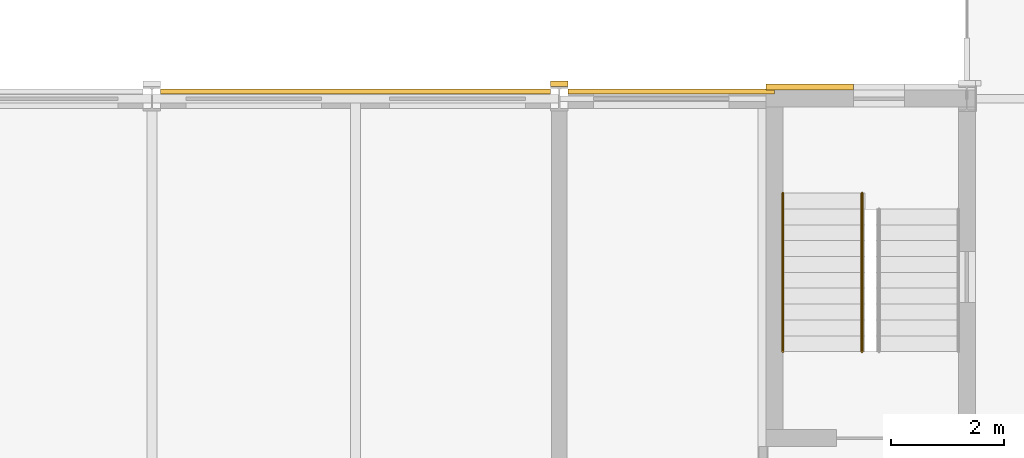
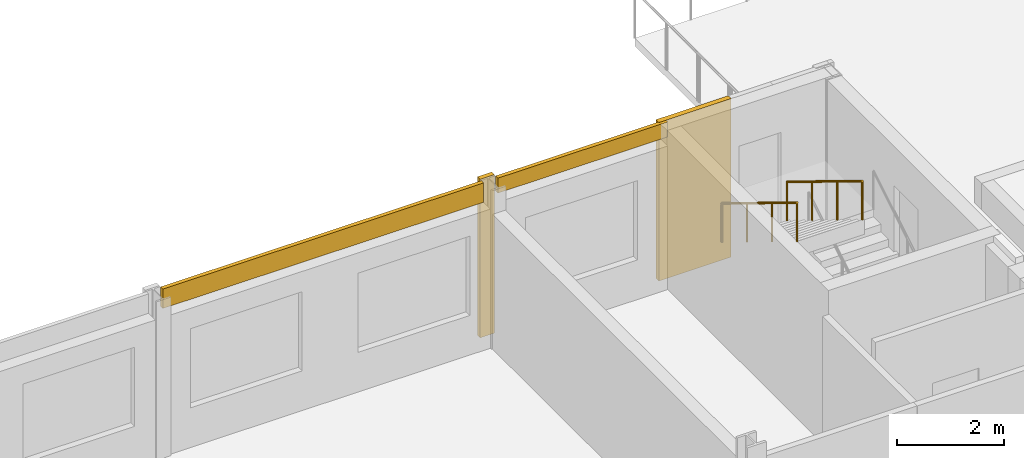
# One storey, part 103 of 110: 4 coverings, 2 railings.
"""IFC4 building model written with IfcOpenShell, lengths in metres."""

from ifc_helpers import new_model, si_unit, direction, frame, origin, origin_2d, place, context, subcontext, project, spatial, rectangle, circle, extrude, material, layer, layer_set, type_object, element, save


model = new_model("IFC4")

# Units and contexts
model_context = context("Model", 3, precision=1e-05, world=origin(), true_north=direction((0.0, 1.0)))
body_context = subcontext(model_context, "Body", "Model", "MODEL_VIEW")
ifc_project = project(units=[si_unit("LENGTHUNIT", "METRE"), si_unit("AREAUNIT", "SQUARE_METRE"), si_unit("VOLUMEUNIT", "CUBIC_METRE"), si_unit("PLANEANGLEUNIT", "RADIAN"), si_unit("MASSUNIT", "GRAM", prefix="KILO")], contexts=[model_context])

# Site, building, storey
site_placement = place(None, origin())
site = spatial("IfcSite", under=ifc_project, at=site_placement, CompositionType="ELEMENT")
building_placement = place(site_placement, origin())
building = spatial("IfcBuilding", under=site, at=building_placement, Name="Kupolbacken Congress Centre", CompositionType="ELEMENT")
storey_placement = place(building_placement, frame((0.0, 0.0, 18.0)))
storey = spatial("IfcBuildingStorey", under=building, at=storey_placement, Name="L05", CompositionType="ELEMENT", Elevation=18.0)

# Coverings
ifc_material_1 = material(Name="Limestone cladding", Category="masonry")
ifc_layer_1 = layer(ifc_material_1, 0.1201171875)
ifc_layer_set_1 = layer_set([ifc_layer_1], Name="Limestone cladding")
covering_type_1 = type_object("IfcCoveringType", Name="CV1 limestone cladding band 120", PredefinedType="CLADDING", material=ifc_layer_set_1)
covering_1_placement = place(storey_placement, frame((131.57666015625, 144.12744140625, 3.259765625), z_axis=(0.0, 0.0, 1.0), x_axis=(-1.0, 0.0, 0.0)))
element("IfcCovering", 1, at=covering_1_placement, inside=storey, type_object=covering_type_1, Name="E/T/N/L05/065/band", PredefinedType="CLADDING", context=body_context, shape_type="SweptSolid", body=[
    extrude(rectangle(XDim=3.646484375, YDim=0.0849609375, at=origin_2d()), origin(), (0.0, 0.0, 1.0), 0.340087890625),
])
covering_2_placement = place(storey_placement, frame((126.0, 144.12744140625, 3.159912109375), z_axis=(0.0, 0.0, 1.0), x_axis=(-1.0, 0.0, 0.0)))
element("IfcCovering", 2, at=covering_2_placement, inside=storey, type_object=covering_type_1, Name="E/T/N/L05/066/band", PredefinedType="CLADDING", context=body_context, shape_type="SweptSolid", body=[
    extrude(rectangle(XDim=6.89306640625, YDim=0.0849609375, at=origin_2d()), origin(), (0.0, 0.0, 1.0), 0.43994140625),
])
ifc_material_2 = material(Name="Brick cladding", Category="masonry")
ifc_layer_2 = layer(ifc_material_2, 0.10791015625)
ifc_layer_set_2 = layer_set([ifc_layer_2], Name="Brick cladding")
covering_type_2 = type_object("IfcCoveringType", Name="CV2 brick cladding band 108", PredefinedType="CLADDING", material=ifc_layer_set_2)
covering_3_placement = place(storey_placement, frame((129.60009765625, 144.26611328125, 0.0), z_axis=(0.0, 0.0, 1.0), x_axis=(1.0, 0.0, 0.0)))
element("IfcCovering", 3, at=covering_3_placement, inside=storey, type_object=covering_type_2, Name="E/T/pilaster/L05/C-T-19W/N", PredefinedType="CLADDING", context=body_context, shape_type="SweptSolid", body=[
    extrude(rectangle(XDim=0.306884765625, YDim=0.10009765625, at=origin_2d()), origin(), (0.0, 0.0, 1.0), 3.60009765625),
])
covering_4_placement = place(storey_placement, frame((134.02490234375, 144.2041015625, 0.0), z_axis=(0.0, 0.0, 1.0), x_axis=(-1.0, 0.0, 0.0)))
element("IfcCovering", 4, at=covering_4_placement, inside=storey, type_object=covering_type_2, Name="S/core/L05/131/face1", PredefinedType="CLADDING", context=body_context, shape_type="SweptSolid", body=[
    extrude(rectangle(XDim=1.550048828125, YDim=0.10791015625, at=origin_2d()), origin(), (0.0, 0.0, 1.0), 3.60009765625),
])

# Railings
ifc_material_3 = material(Name="Steel S235", Category="steel")
railing_type = type_object("IfcRailingType", Name="RL3 handrail wall-mounted 900", PredefinedType="HANDRAIL", material=ifc_material_3)
for number, where, name in (
    (5, (134.949951171875, 142.330078125, 1.8857421875), "C/stair/TS4/L05/HR2L"),
    (6, (133.550048828125, 142.330078125, 1.8857421875), "C/stair/TS4/L05/HR2R"),
):
    element("IfcRailing", number, at=place(storey_placement, frame(where)), inside=storey, type_object=railing_type, Name=name, PredefinedType="HANDRAIL", context=body_context, shape_type="SweptSolid", body=[
        extrude(circle(Radius=0.02392578125, at=origin_2d()), frame((0.0, 0.0, 0.8759765625), z_axis=(0.0, -0.852845897599, 0.522162690116), x_axis=(1.0, 0.0, 0.0)), (0.0, 0.0, 1.0), 3.283203125),
        extrude(circle(Radius=0.02099609375, at=origin_2d()), origin(), (0.0, 0.0, 1.0), 0.851806640625),
        extrude(circle(Radius=0.02099609375, at=origin_2d()), frame((0.0, -0.933349609375, 0.571533203125)), (0.0, 0.0, 1.0), 0.851806640625),
        extrude(circle(Radius=0.02099609375, at=origin_2d()), frame((0.0, -1.86669921875, 1.142822265625)), (0.0, 0.0, 1.0), 0.851806640625),
        extrude(circle(Radius=0.02099609375, at=origin_2d()), frame((0.0, -2.800048828125, 1.71435546875)), (0.0, 0.0, 1.0), 0.851806640625),
    ])

save(model, "model.ifc")
